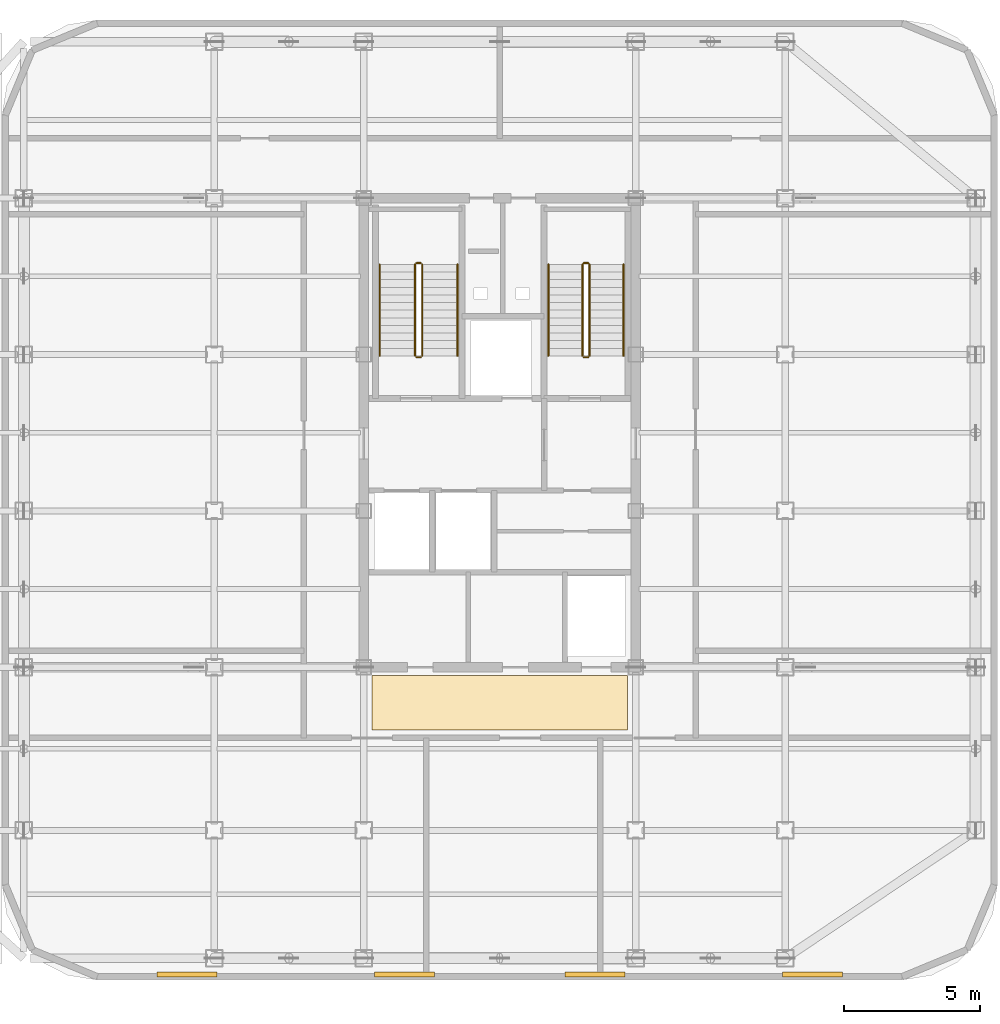
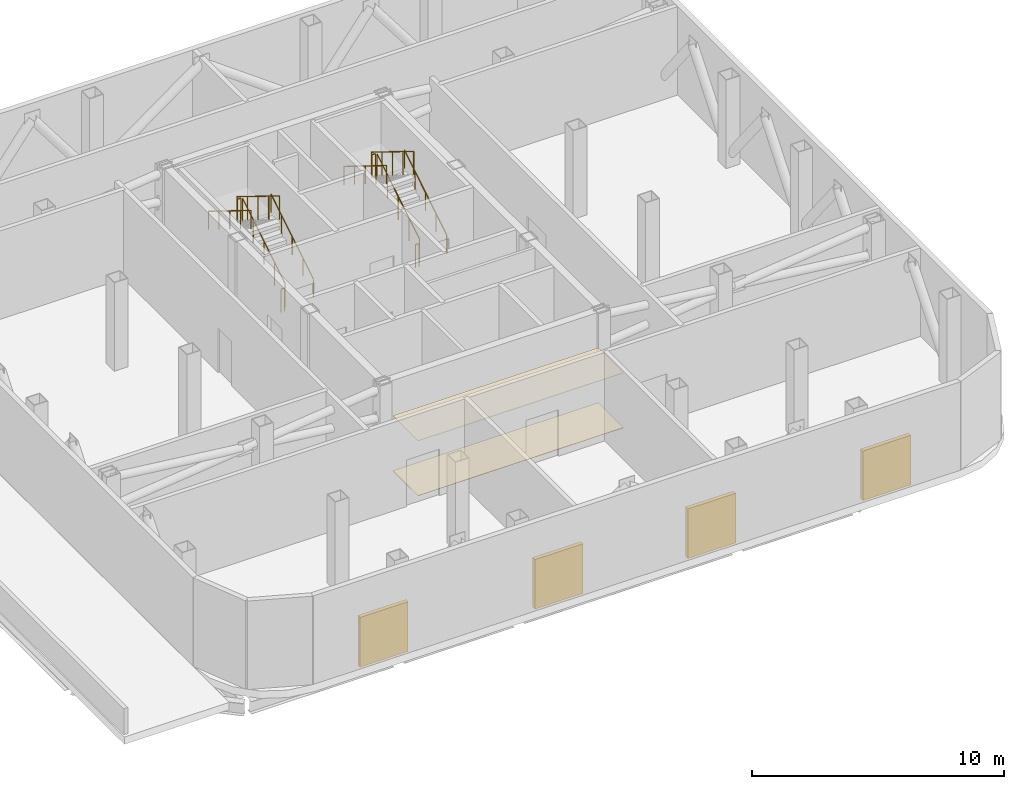
# One storey, part 7 of 7: 12 railings, 4 shading devices, 2 coverings.
"""IFC4 building model written with IfcOpenShell, lengths in metres."""

import ifcopenshell
import ifcopenshell.guid

model = None  # the IFC model being written
_history = None  # IfcOwnerHistory: only IFC2X3 demands one
_inside = {}  # id of a spatial element -> (the spatial element, [elements in it])
_under = {}  # id of a project, library or spatial element -> (it, [spatial elements below it])
_declared = {}  # id of a project -> (the project, [libraries it declares])
_typed = {}  # id of a type object -> (the type object, [elements of that type])
_made_of = {}  # id of a material, layer set ... -> (it, [elements and type objects made of it])


def new_model(schema):
    """Start an empty IFC model of exactly this schema.

    Asked for "IFC4X3", IfcOpenShell would pick the latest addendum, in which some entities
    have other attributes; the version numbers below select the first issue.
    IFC2X3 requires an IfcOwnerHistory on every rooted entity: one is made here for all.
    """
    global model, _history
    if schema == "IFC4X3":
        model = ifcopenshell.file(schema_version=(4, 3, 0, 0))
    else:
        model = ifcopenshell.file(schema=schema)
    _inside.clear()
    _under.clear()
    _declared.clear()
    _typed.clear()
    _made_of.clear()
    _history = None
    if model.schema == "IFC2X3":
        org = make("IfcOrganization", Name="unknown")
        user = make(
            "IfcPersonAndOrganization",
            ThePerson=make("IfcPerson", FamilyName="unknown"),
            TheOrganization=org,
        )
        app = make(
            "IfcApplication",
            ApplicationDeveloper=org,
            Version="unknown",
            ApplicationFullName="unknown",
            ApplicationIdentifier="unknown",
        )
        _history = make(
            "IfcOwnerHistory",
            OwningUser=user,
            OwningApplication=app,
            ChangeAction="ADDED",
            CreationDate=0,
        )
    return model


def make(cls, **values):
    """One entity of the class cls with the attributes given. An attribute that is None is left unset."""
    return model.create_entity(
        cls, **{name: value for name, value in values.items() if value is not None}
    )


def rooted(cls, **values):
    """An entity with a GlobalId (a new one), such as an element, a storey or a relation."""
    return make(cls, GlobalId=ifcopenshell.guid.new(), OwnerHistory=_history, **values)


def si_unit(unit_type, name, prefix=None):
    """IfcSIUnit, for example si_unit("LENGTHUNIT", "METRE", prefix="MILLI")."""
    return make("IfcSIUnit", UnitType=unit_type, Prefix=prefix, Name=name)


def assignment(units):
    """IfcUnitAssignment: the units of a project."""
    return None if units is None else make("IfcUnitAssignment", Units=units)


def point(xyz):
    """IfcCartesianPoint."""
    return None if xyz is None else make("IfcCartesianPoint", Coordinates=xyz)


def direction(xyz):
    """IfcDirection."""
    return None if xyz is None else make("IfcDirection", DirectionRatios=xyz)


def frame(location, z_axis=None, x_axis=None):
    """IfcAxis2Placement3D, a coordinate frame: its origin and axes. An axis left out is left unset."""
    return make(
        "IfcAxis2Placement3D",
        Location=point(location),
        Axis=direction(z_axis),
        RefDirection=direction(x_axis),
    )


def frame_2d(location, x_axis=None):
    """IfcAxis2Placement2D, a coordinate frame in the plane: its origin and x axis."""
    return make(
        "IfcAxis2Placement2D", Location=point(location), RefDirection=direction(x_axis)
    )


def origin():
    """The frame at (0, 0, 0) with its axes left unset."""
    return frame((0.0, 0.0, 0.0))


def origin_2d():
    """The frame at (0, 0) in the plane with its x axis left unset."""
    return frame_2d((0.0, 0.0))


def place(relative_to, where):
    """IfcLocalPlacement: puts the frame where relative to a parent placement (None: the world)."""
    return make(
        "IfcLocalPlacement", PlacementRelTo=relative_to, RelativePlacement=where
    )


def context(
    kind, dimensions, precision=None, world=None, true_north=None, identifier=None
):
    """IfcGeometricRepresentationContext, for example the 3D "Model" context."""
    return make(
        "IfcGeometricRepresentationContext",
        ContextIdentifier=identifier,
        ContextType=kind,
        CoordinateSpaceDimension=dimensions,
        Precision=precision,
        WorldCoordinateSystem=world,
        TrueNorth=true_north,
    )


def subcontext(parent, identifier, kind, view, scale=None):
    """IfcGeometricRepresentationSubContext, for example "Body" below "Model"."""
    return make(
        "IfcGeometricRepresentationSubContext",
        ContextIdentifier=identifier,
        ContextType=kind,
        ParentContext=parent,
        TargetScale=scale,
        TargetView=view,
    )


def project(units=None, contexts=None):
    """IfcProject with its units and contexts."""
    return rooted(
        "IfcProject",
        Name="project",
        RepresentationContexts=contexts,
        UnitsInContext=assignment(units),
    )


def spatial(cls, under=None, at=None, **own):
    """A site, building, storey or space (cls), placed at a placement, below another one or the project."""
    s = rooted(cls, ObjectPlacement=at, **own)
    if under is not None:
        _under.setdefault(under.id(), (under, []))[1].append(s)
    return s


def polyline(points):
    """IfcPolyline through the points."""
    return make("IfcPolyline", Points=[point(p) for p in points])


def profile(cls, at=None, kind="AREA", **sizes):
    """A parametric profile (cls). Its sizes go by their IFC names, for example OverallWidth=200.0."""
    return make(cls, ProfileType=kind, Position=at, **sizes)


def rectangle(**sizes):
    """IfcRectangleProfileDef."""
    return profile("IfcRectangleProfileDef", **sizes)


def circle(**sizes):
    """IfcCircleProfileDef."""
    return profile("IfcCircleProfileDef", **sizes)


def outline(outer, holes=None, kind="AREA"):
    """IfcArbitraryClosedProfileDef: a profile drawn as a closed curve; with holes, ...WithVoids."""
    if holes is None:
        return make("IfcArbitraryClosedProfileDef", ProfileType=kind, OuterCurve=outer)
    return make(
        "IfcArbitraryProfileDefWithVoids",
        ProfileType=kind,
        OuterCurve=outer,
        InnerCurves=holes,
    )


def extrude(swept, where, along, depth):
    """IfcExtrudedAreaSolid: the profile swept, set in the frame where, extruded along a direction by depth."""
    return make(
        "IfcExtrudedAreaSolid",
        SweptArea=swept,
        Position=where,
        ExtrudedDirection=direction(along),
        Depth=depth,
    )


def shape(context_of_items, identifier, shape_type, items):
    """IfcShapeRepresentation: the items that make up one representation, for example the "Body"."""
    return make(
        "IfcShapeRepresentation",
        ContextOfItems=context_of_items,
        RepresentationIdentifier=identifier,
        RepresentationType=shape_type,
        Items=items,
    )


def source(mapping_origin, context_of_items, identifier, shape_type, items):
    """IfcRepresentationMap: a shape defined once, which mapped items show again and again."""
    return make(
        "IfcRepresentationMap",
        MappingOrigin=mapping_origin,
        MappedRepresentation=shape(context_of_items, identifier, shape_type, items),
    )


def transform(
    local_origin,
    x_axis=None,
    y_axis=None,
    z_axis=None,
    scale=None,
    scale2=None,
    scale3=None,
    uniform=True,
):
    """IfcCartesianTransformationOperator3D, or its non-uniform kind. x_axis, y_axis, z_axis: its Axis1, 2, 3."""
    if uniform:
        return make(
            "IfcCartesianTransformationOperator3D",
            Axis1=direction(x_axis),
            Axis2=direction(y_axis),
            LocalOrigin=point(local_origin),
            Scale=scale,
            Axis3=direction(z_axis),
        )
    return make(
        "IfcCartesianTransformationOperator3DnonUniform",
        Axis1=direction(x_axis),
        Axis2=direction(y_axis),
        LocalOrigin=point(local_origin),
        Scale=scale,
        Axis3=direction(z_axis),
        Scale2=scale2,
        Scale3=scale3,
    )


def mapped(mapping_source, mapping_target):
    """IfcMappedItem: shows the shape of a source again, moved by a transform."""
    return make(
        "IfcMappedItem", MappingSource=mapping_source, MappingTarget=mapping_target
    )


def material(Name=None, Category=None):
    """IfcMaterial."""
    return make("IfcMaterial", Name=Name, Category=Category)


def layer(
    of_material, thickness, ventilated=None, Name=None, Category=None, Priority=None
):
    """IfcMaterialLayer: one layer of a wall or slab, of a material (None: an air gap)."""
    return make(
        "IfcMaterialLayer",
        Material=of_material,
        LayerThickness=thickness,
        IsVentilated=ventilated,
        Name=Name,
        Category=Category,
        Priority=Priority,
    )


def layer_set(layers, Name=None):
    """IfcMaterialLayerSet."""
    return make("IfcMaterialLayerSet", MaterialLayers=layers, LayerSetName=Name)


def made_of(thing, what):
    """Note that an element or type object is made of a material, layer set ...; save() writes the relation."""
    if what is not None:
        _made_of.setdefault(what.id(), (what, []))[1].append(thing)
    return thing


def type_object(cls, material=None, **own):
    """A type object (cls), such as IfcWallType, which elements share."""
    return made_of(rooted(cls, **own), material)


def element(
    cls,
    number,
    at=None,
    inside=None,
    cuts=None,
    type_object=None,
    material=None,
    context=None,
    identifier="Body",
    shape_type=None,
    held_by="IfcProductDefinitionShape",
    body=None,
    shapes=None,
    **own,
):
    """One element of the class cls, such as IfcWall. Its Tag is "e" and its number.

    at: its placement. inside: the storey or other place that contains it. cuts: it is an
    opening in that element (IfcRelVoidsElement). A single representation is given by context,
    identifier, shape_type and body (its items); several are given by shapes. held_by: the class
    of the entity that holds the representations. save() writes the other relations.
    """
    e = rooted(cls, Tag="e%d" % number, ObjectPlacement=at, **own)
    if body is not None:
        shapes = [shape(context, identifier, shape_type, body)]
    if shapes is not None:
        e.Representation = make(held_by, Representations=shapes)
    if inside is not None:
        _inside.setdefault(inside.id(), (inside, []))[1].append(e)
    if cuts is not None:
        rooted(
            "IfcRelVoidsElement", RelatingBuildingElement=cuts, RelatedOpeningElement=e
        )
    if type_object is not None:
        _typed.setdefault(type_object.id(), (type_object, []))[1].append(e)
    return made_of(e, material)


def aggregate(whole, parts):
    """IfcRelAggregates: a whole, such as a stair, and the parts it consists of."""
    return rooted("IfcRelAggregates", RelatingObject=whole, RelatedObjects=parts)


def save(model, path):
    """Write the relations noted so far, then the file.

    IfcRelAggregates (storeys below a building ...), IfcRelContainedInSpatialStructure (elements
    in a storey), IfcRelDefinesByType, IfcRelAssociatesMaterial and IfcRelDeclares: one each for
    every whole, place, type object, material and project.
    """
    for whole, parts in _under.values():
        aggregate(whole, parts)
    for where, things in _inside.values():
        rooted(
            "IfcRelContainedInSpatialStructure",
            RelatedElements=things,
            RelatingStructure=where,
        )
    for kind, things in _typed.values():
        rooted("IfcRelDefinesByType", RelatedObjects=things, RelatingType=kind)
    for what, things in _made_of.values():
        rooted("IfcRelAssociatesMaterial", RelatedObjects=things, RelatingMaterial=what)
    for by, libraries in _declared.values():
        rooted("IfcRelDeclares", RelatingContext=by, RelatedDefinitions=libraries)
    model.write(path)


model = new_model("IFC4")

# Units and contexts
model_context = context("Model", 3, precision=1e-05, world=origin(), true_north=direction((0.0, 1.0)))
body_context = subcontext(model_context, "Body", "Model", "MODEL_VIEW")
ifc_project = project(units=[si_unit("LENGTHUNIT", "METRE"), si_unit("AREAUNIT", "SQUARE_METRE"), si_unit("VOLUMEUNIT", "CUBIC_METRE"), si_unit("PLANEANGLEUNIT", "RADIAN"), si_unit("MASSUNIT", "GRAM", prefix="KILO")], contexts=[model_context])

# Site, building, storey
site_placement = place(None, origin())
site = spatial("IfcSite", under=ifc_project, at=site_placement, CompositionType="ELEMENT")
building_placement = place(site_placement, origin())
building = spatial("IfcBuilding", under=site, at=building_placement, Name="Kolveth Station Tower", CompositionType="ELEMENT")
storey_placement = place(building_placement, frame((0.0, 0.0, 215.60009765625)))
storey = spatial("IfcBuildingStorey", under=building, at=storey_placement, Name="L61", CompositionType="ELEMENT", Elevation=215.60009765625)

# Coverings
ifc_material_1 = material(Name="Acoustic mineral-fibre ceiling tile")
ifc_layer_1 = layer(ifc_material_1, 0.02490234375)
ifc_layer_set_1 = layer_set([ifc_layer_1], Name="Acoustic mineral-fibre ceiling tile")
covering_type_1 = type_object("IfcCoveringType", Name="Ceil_CL1", PredefinedType="CEILING", material=ifc_layer_set_1)
covering_1_placement = place(storey_placement, frame((0.0, 0.0, 2.64990234375)))
element("IfcCovering", 1, at=covering_1_placement, inside=storey, type_object=covering_type_1, Name="L61 Lift Lobby Suspended Ceiling", PredefinedType="CEILING", context=body_context, shape_type="SweptSolid", body=[
    extrude(outline(polyline([(18.800048828125, 9.199951171875), (28.199951171875, 9.199951171875), (28.199951171875, 11.199951171875), (18.800048828125, 11.199951171875), (18.800048828125, 9.199951171875)])), origin(), (0.0, 0.0, 1.0), 0.02490234375),
])
ifc_material_2 = material(Name="Honed terrazzo flooring")
ifc_layer_2 = layer(ifc_material_2, 0.02001953125)
ifc_layer_set_2 = layer_set([ifc_layer_2], Name="Honed terrazzo flooring")
covering_type_2 = type_object("IfcCoveringType", Name="Floor_FL1", PredefinedType="FLOORING", material=ifc_layer_set_2)
covering_2_placement = place(storey_placement, origin())
element("IfcCovering", 2, at=covering_2_placement, inside=storey, type_object=covering_type_2, Name="L61 Lift Lobby Floor Finish", PredefinedType="FLOORING", context=body_context, shape_type="SweptSolid", body=[
    extrude(outline(polyline([(18.800048828125, 9.199951171875), (28.199951171875, 9.199951171875), (28.199951171875, 11.199951171875), (18.800048828125, 11.199951171875), (18.800048828125, 9.199951171875)])), origin(), (0.0, 0.0, 1.0), 0.02001953125),
])

# Railings
ifc_material_3 = material(Name="Painted Steel S355 balustrade", Category="steel")
railing_type_1 = type_object("IfcRailingType", Name="Guard_GR2", PredefinedType="BALUSTRADE", material=ifc_material_3)
railing_1_placement = place(storey_placement, frame((20.64990234375, 22.949951171875, 0.173095703125)))
element("IfcRailing", 3, at=railing_1_placement, inside=storey, type_object=railing_type_1, Name="L61 ST1 stair guard 1", PredefinedType="BALUSTRADE", context=body_context, shape_type="SweptSolid", body=[
    extrude(circle(Radius=0.02392578125, at=origin_2d()), frame((0.0, 0.0, 1.1259765625), z_axis=(0.0, 0.850623216509, 0.525775754039), x_axis=(-1.0, 0.0, 0.0)), (0.0, 0.0, 1.0), 3.9501953125),
    extrude(circle(Radius=0.02099609375, at=origin_2d()), origin(), (0.0, 0.0, 1.0), 1.101806640625),
    extrude(circle(Radius=0.02099609375, at=origin_2d()), frame((0.0, 0.840087890625, 0.519287109375)), (0.0, 0.0, 1.0), 1.101806640625),
    extrude(circle(Radius=0.02099609375, at=origin_2d()), frame((0.0, 1.68017578125, 1.03857421875)), (0.0, 0.0, 1.0), 1.101806640625),
    extrude(circle(Radius=0.02099609375, at=origin_2d()), frame((0.0, 2.52001953125, 1.5576171875)), (0.0, 0.0, 1.0), 1.101806640625),
    extrude(circle(Radius=0.02099609375, at=origin_2d()), frame((0.0, 3.360107421875, 2.076904296875)), (0.0, 0.0, 1.0), 1.101806640625),
])
railing_2_placement = place(storey_placement, frame((20.60009765625, 26.360107421875, 2.25)))
element("IfcRailing", 4, at=railing_2_placement, inside=storey, type_object=railing_type_1, Name="L61 ST1 stair guard 2", PredefinedType="BALUSTRADE", context=body_context, shape_type="SweptSolid", body=[
    extrude(circle(Radius=0.02392578125, at=origin_2d()), frame((0.0, 0.0, 1.1259765625), z_axis=(-1.0, 0.0, 0.0), x_axis=(0.0, -1.0, 0.0)), (0.0, 0.0, 1.0), 0.16015625),
    extrude(circle(Radius=0.02099609375, at=origin_2d()), origin(), (0.0, 0.0, 1.0), 1.101806640625),
    extrude(circle(Radius=0.02099609375, at=origin_2d()), frame((-0.16015625, 0.0, 0.0)), (0.0, 0.0, 1.0), 1.101806640625),
])
railing_3_placement = place(storey_placement, frame((20.389892578125, 26.31005859375, 2.423095703125)))
element("IfcRailing", 5, at=railing_3_placement, inside=storey, type_object=railing_type_1, Name="L61 ST1 stair guard 3", PredefinedType="BALUSTRADE", context=body_context, shape_type="SweptSolid", body=[
    extrude(circle(Radius=0.02392578125, at=origin_2d()), frame((0.0, 0.0, 1.1259765625), z_axis=(0.0, -0.850623216509, 0.525775754039), x_axis=(1.0, 0.0, 0.0)), (0.0, 0.0, 1.0), 3.9501953125),
    extrude(circle(Radius=0.02099609375, at=origin_2d()), origin(), (0.0, 0.0, 1.0), 1.101806640625),
    extrude(circle(Radius=0.02099609375, at=origin_2d()), frame((0.0, -0.840087890625, 0.519287109375)), (0.0, 0.0, 1.0), 1.101806640625),
    extrude(circle(Radius=0.02099609375, at=origin_2d()), frame((0.0, -1.68017578125, 1.03857421875)), (0.0, 0.0, 1.0), 1.101806640625),
    extrude(circle(Radius=0.02099609375, at=origin_2d()), frame((0.0, -2.52001953125, 1.5576171875)), (0.0, 0.0, 1.0), 1.101806640625),
    extrude(circle(Radius=0.02099609375, at=origin_2d()), frame((0.0, -3.360107421875, 2.076904296875)), (0.0, 0.0, 1.0), 1.101806640625),
])
railing_4_placement = place(storey_placement, frame((20.60009765625, 22.89990234375, 0.0)))
element("IfcRailing", 6, at=railing_4_placement, inside=storey, type_object=railing_type_1, Name="L61 ST1 stair guard 4", PredefinedType="BALUSTRADE", context=body_context, shape_type="SweptSolid", body=[
    extrude(circle(Radius=0.02392578125, at=origin_2d()), frame((0.0, 0.0, 1.1259765625), z_axis=(-1.0, 0.0, 0.0), x_axis=(0.0, -1.0, 0.0)), (0.0, 0.0, 1.0), 0.16015625),
    extrude(circle(Radius=0.02099609375, at=origin_2d()), origin(), (0.0, 0.0, 1.0), 1.101806640625),
    extrude(circle(Radius=0.02099609375, at=origin_2d()), frame((-0.16015625, 0.0, 0.0)), (0.0, 0.0, 1.0), 1.101806640625),
])
railing_5_placement = place(storey_placement, frame((26.800048828125, 22.949951171875, 0.173095703125)))
element("IfcRailing", 7, at=railing_5_placement, inside=storey, type_object=railing_type_1, Name="L61 ST2 stair guard 1", PredefinedType="BALUSTRADE", context=body_context, shape_type="SweptSolid", body=[
    extrude(circle(Radius=0.02392578125, at=origin_2d()), frame((0.0, 0.0, 1.1259765625), z_axis=(0.0, 0.850623216509, 0.525775754039), x_axis=(-1.0, 0.0, 0.0)), (0.0, 0.0, 1.0), 3.9501953125),
    extrude(circle(Radius=0.02099609375, at=origin_2d()), origin(), (0.0, 0.0, 1.0), 1.101806640625),
    extrude(circle(Radius=0.02099609375, at=origin_2d()), frame((0.0, 0.840087890625, 0.519287109375)), (0.0, 0.0, 1.0), 1.101806640625),
    extrude(circle(Radius=0.02099609375, at=origin_2d()), frame((0.0, 1.68017578125, 1.03857421875)), (0.0, 0.0, 1.0), 1.101806640625),
    extrude(circle(Radius=0.02099609375, at=origin_2d()), frame((0.0, 2.52001953125, 1.5576171875)), (0.0, 0.0, 1.0), 1.101806640625),
    extrude(circle(Radius=0.02099609375, at=origin_2d()), frame((0.0, 3.360107421875, 2.076904296875)), (0.0, 0.0, 1.0), 1.101806640625),
])
railing_6_placement = place(storey_placement, frame((26.75, 26.360107421875, 2.25)))
element("IfcRailing", 8, at=railing_6_placement, inside=storey, type_object=railing_type_1, Name="L61 ST2 stair guard 2", PredefinedType="BALUSTRADE", context=body_context, shape_type="SweptSolid", body=[
    extrude(circle(Radius=0.02392578125, at=origin_2d()), frame((0.0, 0.0, 1.1259765625), z_axis=(-1.0, 0.0, 0.0), x_axis=(0.0, -1.0, 0.0)), (0.0, 0.0, 1.0), 0.159912109375),
    extrude(circle(Radius=0.02099609375, at=origin_2d()), origin(), (0.0, 0.0, 1.0), 1.101806640625),
    extrude(circle(Radius=0.02099609375, at=origin_2d()), frame((-0.159912109375, 0.0, 0.0)), (0.0, 0.0, 1.0), 1.101806640625),
])
railing_7_placement = place(storey_placement, frame((26.5400390625, 26.31005859375, 2.423095703125)))
element("IfcRailing", 9, at=railing_7_placement, inside=storey, type_object=railing_type_1, Name="L61 ST2 stair guard 3", PredefinedType="BALUSTRADE", context=body_context, shape_type="SweptSolid", body=[
    extrude(circle(Radius=0.02392578125, at=origin_2d()), frame((0.0, 0.0, 1.1259765625), z_axis=(0.0, -0.850623216509, 0.525775754039), x_axis=(1.0, 0.0, 0.0)), (0.0, 0.0, 1.0), 3.9501953125),
    extrude(circle(Radius=0.02099609375, at=origin_2d()), origin(), (0.0, 0.0, 1.0), 1.101806640625),
    extrude(circle(Radius=0.02099609375, at=origin_2d()), frame((0.0, -0.840087890625, 0.519287109375)), (0.0, 0.0, 1.0), 1.101806640625),
    extrude(circle(Radius=0.02099609375, at=origin_2d()), frame((0.0, -1.68017578125, 1.03857421875)), (0.0, 0.0, 1.0), 1.101806640625),
    extrude(circle(Radius=0.02099609375, at=origin_2d()), frame((0.0, -2.52001953125, 1.5576171875)), (0.0, 0.0, 1.0), 1.101806640625),
    extrude(circle(Radius=0.02099609375, at=origin_2d()), frame((0.0, -3.360107421875, 2.076904296875)), (0.0, 0.0, 1.0), 1.101806640625),
])
railing_8_placement = place(storey_placement, frame((26.75, 22.89990234375, 0.0)))
element("IfcRailing", 10, at=railing_8_placement, inside=storey, type_object=railing_type_1, Name="L61 ST2 stair guard 4", PredefinedType="BALUSTRADE", context=body_context, shape_type="SweptSolid", body=[
    extrude(circle(Radius=0.02392578125, at=origin_2d()), frame((0.0, 0.0, 1.1259765625), z_axis=(-1.0, 0.0, 0.0), x_axis=(0.0, -1.0, 0.0)), (0.0, 0.0, 1.0), 0.159912109375),
    extrude(circle(Radius=0.02099609375, at=origin_2d()), origin(), (0.0, 0.0, 1.0), 1.101806640625),
    extrude(circle(Radius=0.02099609375, at=origin_2d()), frame((-0.159912109375, 0.0, 0.0)), (0.0, 0.0, 1.0), 1.101806640625),
])
ifc_material_4 = material(Name="Brushed stainless steel", Category="steel")
railing_type_2 = type_object("IfcRailingType", Name="Handrail_HR1", PredefinedType="HANDRAIL", material=ifc_material_4)
railing_9_placement = place(storey_placement, frame((21.949951171875, 22.949951171875, 0.173095703125)))
element("IfcRailing", 11, at=railing_9_placement, inside=storey, type_object=railing_type_2, Name="L61 ST1 stair handrail 1", PredefinedType="HANDRAIL", context=body_context, shape_type="SweptSolid", body=[
    extrude(circle(Radius=0.02392578125, at=origin_2d()), frame((0.0, 0.0, 0.8759765625), z_axis=(0.0, 0.850623216509, 0.525775754039), x_axis=(-1.0, 0.0, 0.0)), (0.0, 0.0, 1.0), 3.9501953125),
    extrude(circle(Radius=0.02099609375, at=origin_2d()), origin(), (0.0, 0.0, 1.0), 0.851806640625),
    extrude(circle(Radius=0.02099609375, at=origin_2d()), frame((0.0, 0.840087890625, 0.519287109375)), (0.0, 0.0, 1.0), 0.851806640625),
    extrude(circle(Radius=0.02099609375, at=origin_2d()), frame((0.0, 1.68017578125, 1.03857421875)), (0.0, 0.0, 1.0), 0.851806640625),
    extrude(circle(Radius=0.02099609375, at=origin_2d()), frame((0.0, 2.52001953125, 1.5576171875)), (0.0, 0.0, 1.0), 0.851806640625),
    extrude(circle(Radius=0.02099609375, at=origin_2d()), frame((0.0, 3.360107421875, 2.076904296875)), (0.0, 0.0, 1.0), 0.851806640625),
])
railing_10_placement = place(storey_placement, frame((19.090087890625, 26.31005859375, 2.423095703125)))
element("IfcRailing", 12, at=railing_10_placement, inside=storey, type_object=railing_type_2, Name="L61 ST1 stair handrail 2", PredefinedType="HANDRAIL", context=body_context, shape_type="SweptSolid", body=[
    extrude(circle(Radius=0.02392578125, at=origin_2d()), frame((0.0, 0.0, 0.8759765625), z_axis=(0.0, -0.850623216509, 0.525775754039), x_axis=(1.0, 0.0, 0.0)), (0.0, 0.0, 1.0), 3.9501953125),
    extrude(circle(Radius=0.02099609375, at=origin_2d()), origin(), (0.0, 0.0, 1.0), 0.851806640625),
    extrude(circle(Radius=0.02099609375, at=origin_2d()), frame((0.0, -0.840087890625, 0.519287109375)), (0.0, 0.0, 1.0), 0.851806640625),
    extrude(circle(Radius=0.02099609375, at=origin_2d()), frame((0.0, -1.68017578125, 1.03857421875)), (0.0, 0.0, 1.0), 0.851806640625),
    extrude(circle(Radius=0.02099609375, at=origin_2d()), frame((0.0, -2.52001953125, 1.5576171875)), (0.0, 0.0, 1.0), 0.851806640625),
    extrude(circle(Radius=0.02099609375, at=origin_2d()), frame((0.0, -3.360107421875, 2.076904296875)), (0.0, 0.0, 1.0), 0.851806640625),
])
railing_11_placement = place(storey_placement, frame((28.050048828125, 22.949951171875, 0.173095703125)))
element("IfcRailing", 13, at=railing_11_placement, inside=storey, type_object=railing_type_2, Name="L61 ST2 stair handrail 1", PredefinedType="HANDRAIL", context=body_context, shape_type="SweptSolid", body=[
    extrude(circle(Radius=0.02392578125, at=origin_2d()), frame((0.0, 0.0, 0.8759765625), z_axis=(0.0, 0.850623216509, 0.525775754039), x_axis=(-1.0, 0.0, 0.0)), (0.0, 0.0, 1.0), 3.9501953125),
    extrude(circle(Radius=0.02099609375, at=origin_2d()), origin(), (0.0, 0.0, 1.0), 0.851806640625),
    extrude(circle(Radius=0.02099609375, at=origin_2d()), frame((0.0, 0.840087890625, 0.519287109375)), (0.0, 0.0, 1.0), 0.851806640625),
    extrude(circle(Radius=0.02099609375, at=origin_2d()), frame((0.0, 1.68017578125, 1.03857421875)), (0.0, 0.0, 1.0), 0.851806640625),
    extrude(circle(Radius=0.02099609375, at=origin_2d()), frame((0.0, 2.52001953125, 1.5576171875)), (0.0, 0.0, 1.0), 0.851806640625),
    extrude(circle(Radius=0.02099609375, at=origin_2d()), frame((0.0, 3.360107421875, 2.076904296875)), (0.0, 0.0, 1.0), 0.851806640625),
])
railing_12_placement = place(storey_placement, frame((25.2900390625, 26.31005859375, 2.423095703125)))
element("IfcRailing", 14, at=railing_12_placement, inside=storey, type_object=railing_type_2, Name="L61 ST2 stair handrail 2", PredefinedType="HANDRAIL", context=body_context, shape_type="SweptSolid", body=[
    extrude(circle(Radius=0.02392578125, at=origin_2d()), frame((0.0, 0.0, 0.8759765625), z_axis=(0.0, -0.850623216509, 0.525775754039), x_axis=(1.0, 0.0, 0.0)), (0.0, 0.0, 1.0), 3.9501953125),
    extrude(circle(Radius=0.02099609375, at=origin_2d()), origin(), (0.0, 0.0, 1.0), 0.851806640625),
    extrude(circle(Radius=0.02099609375, at=origin_2d()), frame((0.0, -0.840087890625, 0.519287109375)), (0.0, 0.0, 1.0), 0.851806640625),
    extrude(circle(Radius=0.02099609375, at=origin_2d()), frame((0.0, -1.68017578125, 1.03857421875)), (0.0, 0.0, 1.0), 0.851806640625),
    extrude(circle(Radius=0.02099609375, at=origin_2d()), frame((0.0, -2.52001953125, 1.5576171875)), (0.0, 0.0, 1.0), 0.851806640625),
    extrude(circle(Radius=0.02099609375, at=origin_2d()), frame((0.0, -3.360107421875, 2.076904296875)), (0.0, 0.0, 1.0), 0.851806640625),
])

# Shading devices
ifc_material_5 = material(Name="Black anodized aluminium 6063-T6", Category="aluminium")
shading_device_type = type_object("IfcShadingDeviceType", Name="Louvre_LV1", PredefinedType="JALOUSIE", material=ifc_material_5)
shared_shape = source(origin(), body_context, "Body", "SweptSolid", [
    extrude(rectangle(XDim=2.199951171875, YDim=0.179931640625, at=origin_2d()), origin(), (0.0, 0.0, 1.0), 2.39990234375),
])
for number, where, z_axis, x_axis, name in (
    (15, (12.0, 0.199951171875, 0.0), (0.0, 0.0, 1.0), (1.0, 0.0, 0.0), "L61 Mechanical Plant Acoustic Louvre S1"),
    (16, (20.0, 0.199951171875, 0.0), (0.0, 0.0, 1.0), (1.0, 0.0, 0.0), "L61 Mechanical Plant Acoustic Louvre S2"),
    (17, (27.0, 0.199951171875, 0.0), (0.0, 0.0, 1.0), (1.0, 0.0, 0.0), "L61 Mechanical Plant Acoustic Louvre S3"),
    (18, (35.0, 0.199951171875, 0.0), (0.0, 0.0, 1.0), (1.0, 0.0, 0.0), "L61 Mechanical Plant Acoustic Louvre S4"),
):
    element("IfcShadingDevice", number, at=place(storey_placement, frame(where, z_axis=z_axis, x_axis=x_axis)), inside=storey, type_object=shading_device_type, Name=name, PredefinedType="JALOUSIE", context=body_context, shape_type="MappedRepresentation", body=[
        mapped(shared_shape, transform((0.0, 0.0, 0.0), x_axis=(1.0, 0.0, 0.0), y_axis=(0.0, 1.0, 0.0), z_axis=(0.0, 0.0, 1.0), scale=1.0)),
    ])

save(model, "model.ifc")
